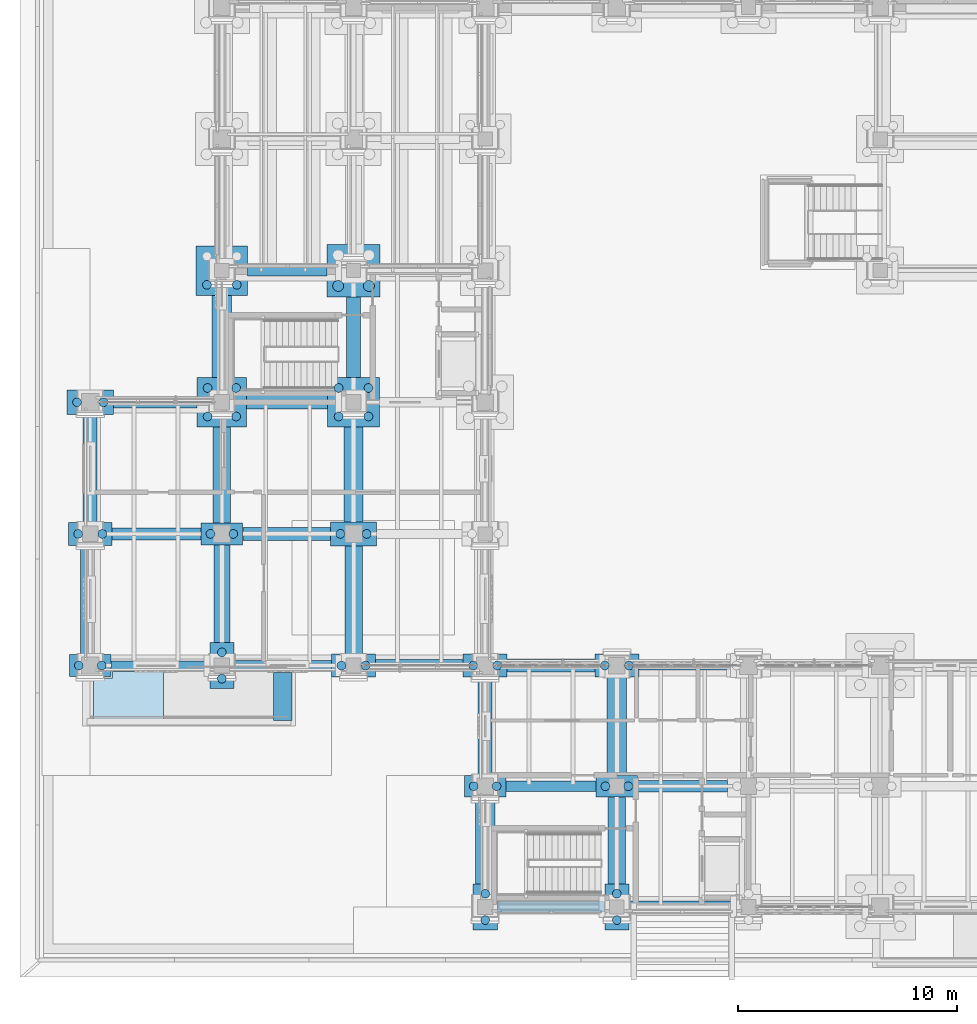
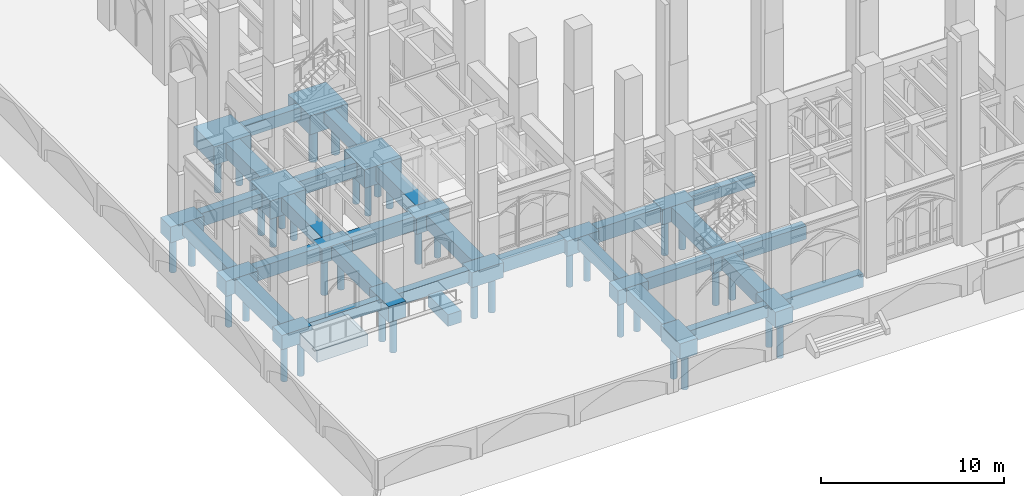
# One storey, part 1 of 135: 45 footings, 38 piles.
"""IFC4 building model written with IfcOpenShell, lengths in metres."""

from ifc_helpers import new_model, si_unit, direction, frame, origin, origin_2d, place, context, subcontext, project, spatial, polyline, rectangle, circle, outline, extrude, material, material_profile, profile_set, type_object, element, save


model = new_model("IFC4")

# Units and contexts
model_context = context("Model", 3, precision=1e-05, world=origin(), true_north=direction((0.0, 1.0)))
body_context = subcontext(model_context, "Body", "Model", "MODEL_VIEW")
ifc_project = project(units=[si_unit("LENGTHUNIT", "METRE"), si_unit("AREAUNIT", "SQUARE_METRE"), si_unit("VOLUMEUNIT", "CUBIC_METRE"), si_unit("PLANEANGLEUNIT", "RADIAN"), si_unit("MASSUNIT", "GRAM", prefix="KILO")], contexts=[model_context])

# Site, building, storey
site_placement = place(None, origin())
site = spatial("IfcSite", under=ifc_project, at=site_placement, CompositionType="ELEMENT")
building_placement = place(site_placement, origin())
building = spatial("IfcBuilding", under=site, at=building_placement, Name="Cumevento Cable Car Station", CompositionType="ELEMENT")
storey_placement = place(building_placement, origin())
storey = spatial("IfcBuildingStorey", under=building, at=storey_placement, Name="L01", CompositionType="ELEMENT", Elevation=0.0)

# Footings
ifc_material_1 = material(Name="Concrete C40/50", Category="concrete")
footing_type_1 = type_object("IfcFootingType", Name="Ground Beam GB-01 420x720", PredefinedType="FOOTING_BEAM", material=ifc_material_1)
footing_1_placement = place(storey_placement, frame((0.0, 0.0, -0.719970703125)))
element("IfcFooting", 1, at=footing_1_placement, inside=storey, type_object=footing_type_1, Name="Ground Tie Beam GB-01 #28", PredefinedType="FOOTING_BEAM", context=body_context, shape_type="SweptSolid", body=[
    extrude(outline(polyline([(4.951904296875, 14.7900390625), (9.447998046875, 14.7900390625), (9.447998046875, 15.2099609375), (4.951904296875, 15.2099609375), (4.951904296875, 14.7900390625)])), origin(), (0.0, 0.0, 1.0), 0.719970703125),
])
footing_2_placement = place(storey_placement, frame((0.0, 0.0, -0.719970703125)))
element("IfcFooting", 2, at=footing_2_placement, inside=storey, type_object=footing_type_1, Name="Ground Tie Beam GB-01 #32", PredefinedType="FOOTING_BEAM", context=body_context, shape_type="SweptSolid", body=[
    extrude(outline(polyline([(29.001953125, 14.7900390625), (32.998046875, 14.7900390625), (32.998046875, 15.2099609375), (29.001953125, 15.2099609375), (29.001953125, 14.7900390625)])), origin(), (0.0, 0.0, 1.0), 0.719970703125),
])
ifc_material_2 = material(Name="Concrete C40/50", Category="concrete")
footing_type_2 = type_object("IfcFootingType", Name="Ground Beam GB-02 480x800", PredefinedType="FOOTING_BEAM", material=ifc_material_2)
footing_3_placement = place(storey_placement, frame((0.0, 0.0, -0.800048828125)))
element("IfcFooting", 3, at=footing_3_placement, inside=storey, type_object=footing_type_2, Name="Ground Tie Beam GB-02 #1", PredefinedType="FOOTING_BEAM", context=body_context, shape_type="SweptSolid", body=[
    extrude(outline(polyline([(22.552001953125, 3.760009765625), (27.447998046875, 3.760009765625), (27.447998046875, 4.239990234375), (22.552001953125, 4.239990234375), (22.552001953125, 3.760009765625)])), origin(), (0.0, 0.0, 1.0), 0.800048828125),
])
footing_4_placement = place(storey_placement, frame((0.0, 0.0, -0.800048828125)))
element("IfcFooting", 4, at=footing_4_placement, inside=storey, type_object=footing_type_2, Name="Ground Tie Beam GB-02 #13", PredefinedType="FOOTING_BEAM", context=body_context, shape_type="SweptSolid", body=[
    extrude(outline(polyline([(22.951904296875, 9.260009765625), (27.048095703125, 9.260009765625), (27.048095703125, 9.739990234375), (22.951904296875, 9.739990234375), (22.951904296875, 9.260009765625)])), origin(), (0.0, 0.0, 1.0), 0.800048828125),
])
footing_5_placement = place(storey_placement, frame((0.0, 0.0, -0.800048828125)))
element("IfcFooting", 5, at=footing_5_placement, inside=storey, type_object=footing_type_2, Name="Ground Tie Beam GB-02 #29", PredefinedType="FOOTING_BEAM", context=body_context, shape_type="SweptSolid", body=[
    extrude(outline(polyline([(10.552001953125, 14.760009765625), (14.998046875, 14.760009765625), (14.998046875, 15.239990234375), (10.552001953125, 15.239990234375), (10.552001953125, 14.760009765625)])), origin(), (0.0, 0.0, 1.0), 0.800048828125),
])
footing_6_placement = place(storey_placement, frame((0.0, 0.0, -0.800048828125)))
element("IfcFooting", 6, at=footing_6_placement, inside=storey, type_object=footing_type_2, Name="Ground Tie Beam GB-02 #57", PredefinedType="FOOTING_BEAM", context=body_context, shape_type="SweptSolid", body=[
    extrude(outline(polyline([(11.177001953125, 32.760009765625), (14.798095703125, 32.760009765625), (14.798095703125, 33.239990234375), (11.177001953125, 33.239990234375), (11.177001953125, 32.760009765625)])), origin(), (0.0, 0.0, 1.0), 0.800048828125),
])
ifc_material_3 = material(Name="Concrete C40/50", Category="concrete")
footing_type_3 = type_object("IfcFootingType", Name="Ground Beam GB-03 540x880", PredefinedType="FOOTING_BEAM", material=ifc_material_3)
footing_7_placement = place(storey_placement, frame((0.0, 0.0, -0.8798828125)))
element("IfcFooting", 7, at=footing_7_placement, inside=storey, type_object=footing_type_3, Name="Ground Tie Beam GB-03 #2", PredefinedType="FOOTING_BEAM", context=body_context, shape_type="SweptSolid", body=[
    extrude(outline(polyline([(28.552001953125, 3.72998046875), (33.447998046875, 3.72998046875), (33.447998046875, 4.27001953125), (28.552001953125, 4.27001953125), (28.552001953125, 3.72998046875)])), origin(), (0.0, 0.0, 1.0), 0.8798828125),
])
footing_8_placement = place(storey_placement, frame((0.0, 0.0, -0.8798828125)))
element("IfcFooting", 8, at=footing_8_placement, inside=storey, type_object=footing_type_3, Name="Ground Tie Beam GB-03 #14", PredefinedType="FOOTING_BEAM", context=body_context, shape_type="SweptSolid", body=[
    extrude(outline(polyline([(28.951904296875, 9.22998046875), (33.048095703125, 9.22998046875), (33.048095703125, 9.77001953125), (28.951904296875, 9.77001953125), (28.951904296875, 9.22998046875)])), origin(), (0.0, 0.0, 1.0), 0.8798828125),
])
footing_9_placement = place(storey_placement, frame((0.0, 0.0, -0.8798828125)))
element("IfcFooting", 9, at=footing_9_placement, inside=storey, type_object=footing_type_3, Name="Ground Tie Beam GB-03 #30", PredefinedType="FOOTING_BEAM", context=body_context, shape_type="SweptSolid", body=[
    extrude(outline(polyline([(17.001953125, 14.72998046875), (20.998046875, 14.72998046875), (20.998046875, 15.27001953125), (17.001953125, 15.27001953125), (17.001953125, 14.72998046875)])), origin(), (0.0, 0.0, 1.0), 0.8798828125),
])
footing_10_placement = place(storey_placement, frame((0.0, 0.0, -0.8798828125)))
element("IfcFooting", 10, at=footing_10_placement, inside=storey, type_object=footing_type_3, Name="Ground Tie Beam GB-03 #42", PredefinedType="FOOTING_BEAM", context=body_context, shape_type="SweptSolid", body=[
    extrude(outline(polyline([(5.001953125, 20.72998046875), (9.048095703125, 20.72998046875), (9.048095703125, 21.27001953125), (5.001953125, 21.27001953125), (5.001953125, 20.72998046875)])), origin(), (0.0, 0.0, 1.0), 0.8798828125),
])
footing_11_placement = place(storey_placement, frame((0.0, 0.0, -0.8798828125)))
element("IfcFooting", 11, at=footing_11_placement, inside=storey, type_object=footing_type_3, Name="Ground Tie Beam GB-03 #50", PredefinedType="FOOTING_BEAM", context=body_context, shape_type="SweptSolid", body=[
    extrude(outline(polyline([(5.052001953125, 26.72998046875), (8.873046875, 26.72998046875), (8.873046875, 27.27001953125), (5.052001953125, 27.27001953125), (5.052001953125, 26.72998046875)])), origin(), (0.0, 0.0, 1.0), 0.8798828125),
])
ifc_material_4 = material(Name="Concrete C40/50", Category="concrete")
footing_type_4 = type_object("IfcFootingType", Name="Ground Beam GB-04 600x960", PredefinedType="FOOTING_BEAM", material=ifc_material_4)
footing_12_placement = place(storey_placement, frame((0.0, 0.0, -0.9599609375)))
element("IfcFooting", 12, at=footing_12_placement, inside=storey, type_object=footing_type_4, Name="Ground Tie Beam GB-04 #31", PredefinedType="FOOTING_BEAM", context=body_context, shape_type="SweptSolid", body=[
    extrude(outline(polyline([(23.001953125, 14.699951171875), (26.998046875, 14.699951171875), (26.998046875, 15.300048828125), (23.001953125, 15.300048828125), (23.001953125, 14.699951171875)])), origin(), (0.0, 0.0, 1.0), 0.9599609375),
])
footing_13_placement = place(storey_placement, frame((0.0, 0.0, -0.9599609375)))
element("IfcFooting", 13, at=footing_13_placement, inside=storey, type_object=footing_type_4, Name="Ground Tie Beam GB-04 #43", PredefinedType="FOOTING_BEAM", context=body_context, shape_type="SweptSolid", body=[
    extrude(outline(polyline([(10.951904296875, 20.699951171875), (14.947998046875, 20.699951171875), (14.947998046875, 21.300048828125), (10.951904296875, 21.300048828125), (10.951904296875, 20.699951171875)])), origin(), (0.0, 0.0, 1.0), 0.9599609375),
])
footing_14_placement = place(storey_placement, frame((0.0, 0.0, -0.9599609375)))
element("IfcFooting", 14, at=footing_14_placement, inside=storey, type_object=footing_type_4, Name="Ground Tie Beam GB-04 #51", PredefinedType="FOOTING_BEAM", context=body_context, shape_type="SweptSolid", body=[
    extrude(outline(polyline([(11.126953125, 26.699951171875), (14.822998046875, 26.699951171875), (14.822998046875, 27.300048828125), (11.126953125, 27.300048828125), (11.126953125, 26.699951171875)])), origin(), (0.0, 0.0, 1.0), 0.9599609375),
])

# Piles
ifc_material_5 = material(Name="Concrete C40/50", Category="concrete")
ifc_material_profile_1 = material_profile(ifc_material_5, circle(Radius=0.199951171875, at=origin_2d()), Name="PILE-D400")
ifc_profile_set_1 = profile_set([ifc_material_profile_1], Name="Concrete C40/50")
pile_type_1 = type_object("IfcPileType", Name="PILE-BORED-400", PredefinedType="BORED", material=ifc_profile_set_1)
for number, where, z_axis, x_axis, name in (
    (15, (3.47998046875, 15.0, -0.949951171875), (0.0, 0.0, -1.0), (1.0, 0.0, 0.0), "Bored Pile PL-400 #1"),
    (16, (4.52001953125, 15.0, -0.949951171875), (0.0, 0.0, -1.0), (1.0, 0.0, 0.0), "Bored Pile PL-400 #2"),
):
    element("IfcPile", number, at=place(storey_placement, frame(where, z_axis=z_axis, x_axis=x_axis)), inside=storey, type_object=pile_type_1, Name=name, PredefinedType="BORED", context=body_context, shape_type="SweptSolid", body=[
        extrude(circle(Radius=0.199951171875, at=origin_2d()), origin(), (0.0, 0.0, 1.0), 2.449951171875),
    ])
for number, where, z_axis, x_axis, name in (
    (17, (3.449951171875, 21.0, -1.0), (0.0, 0.0, -1.0), (1.0, 0.0, 0.0), "Bored Pile PL-400 #3"),
    (18, (4.550048828125, 21.0, -1.0), (0.0, 0.0, -1.0), (1.0, 0.0, 0.0), "Bored Pile PL-400 #4"),
):
    element("IfcPile", number, at=place(storey_placement, frame(where, z_axis=z_axis, x_axis=x_axis)), inside=storey, type_object=pile_type_1, Name=name, PredefinedType="BORED", context=body_context, shape_type="SweptSolid", body=[
        extrude(circle(Radius=0.199951171875, at=origin_2d()), origin(), (0.0, 0.0, 1.0), 2.39990234375),
    ])
for number, where, z_axis, x_axis, name in (
    (19, (3.39990234375, 27.0, -1.050048828125), (0.0, 0.0, -1.0), (1.0, 0.0, 0.0), "Bored Pile PL-400 #5"),
    (20, (4.60009765625, 27.0, -1.050048828125), (0.0, 0.0, -1.0), (1.0, 0.0, 0.0), "Bored Pile PL-400 #6"),
    (21, (10.0, 14.39990234375, -1.050048828125), (0.0, 0.0, -1.0), (1.0, 0.0, 0.0), "Bored Pile PL-400 #7"),
    (22, (10.0, 15.60009765625, -1.050048828125), (0.0, 0.0, -1.0), (1.0, 0.0, 0.0), "Bored Pile PL-400 #8"),
):
    element("IfcPile", number, at=place(storey_placement, frame(where, z_axis=z_axis, x_axis=x_axis)), inside=storey, type_object=pile_type_1, Name=name, PredefinedType="BORED", context=body_context, shape_type="SweptSolid", body=[
        extrude(circle(Radius=0.199951171875, at=origin_2d()), origin(), (0.0, 0.0, 1.0), 2.35009765625),
    ])
for number, where, z_axis, x_axis, name in (
    (23, (9.47998046875, 21.0, -0.949951171875), (0.0, 0.0, -1.0), (1.0, 0.0, 0.0), "Bored Pile PL-400 #9"),
    (24, (10.52001953125, 21.0, -0.949951171875), (0.0, 0.0, -1.0), (1.0, 0.0, 0.0), "Bored Pile PL-400 #10"),
):
    element("IfcPile", number, at=place(storey_placement, frame(where, z_axis=z_axis, x_axis=x_axis)), inside=storey, type_object=pile_type_1, Name=name, PredefinedType="BORED", context=body_context, shape_type="SweptSolid", body=[
        extrude(circle(Radius=0.199951171875, at=origin_2d()), origin(), (0.0, 0.0, 1.0), 2.449951171875),
    ])
for number, where, z_axis, x_axis, name in (
    (25, (9.35009765625, 26.35009765625, -1.199951171875), (0.0, 0.0, -1.0), (1.0, 0.0, 0.0), "Bored Pile PL-400 #11"),
    (26, (10.64990234375, 26.35009765625, -1.199951171875), (0.0, 0.0, -1.0), (1.0, 0.0, 0.0), "Bored Pile PL-400 #12"),
    (27, (9.35009765625, 27.64990234375, -1.199951171875), (0.0, 0.0, -1.0), (1.0, 0.0, 0.0), "Bored Pile PL-400 #13"),
    (28, (10.64990234375, 27.64990234375, -1.199951171875), (0.0, 0.0, -1.0), (1.0, 0.0, 0.0), "Bored Pile PL-400 #14"),
):
    element("IfcPile", number, at=place(storey_placement, frame(where, z_axis=z_axis, x_axis=x_axis)), inside=storey, type_object=pile_type_1, Name=name, PredefinedType="BORED", context=body_context, shape_type="SweptSolid", body=[
        extrude(circle(Radius=0.199951171875, at=origin_2d()), origin(), (0.0, 0.0, 1.0), 2.199951171875),
    ])
for number, where, z_axis, x_axis, name in (
    (29, (9.320068359375, 32.35009765625, -1.219970703125), (0.0, 0.0, -1.0), (1.0, 0.0, 0.0), "Bored Pile PL-400 #15"),
    (30, (10.679931640625, 32.35009765625, -1.219970703125), (0.0, 0.0, -1.0), (1.0, 0.0, 0.0), "Bored Pile PL-400 #16"),
):
    element("IfcPile", number, at=place(storey_placement, frame(where, z_axis=z_axis, x_axis=x_axis)), inside=storey, type_object=pile_type_1, Name=name, PredefinedType="BORED", context=body_context, shape_type="SweptSolid", body=[
        extrude(circle(Radius=0.199951171875, at=origin_2d()), origin(), (0.0, 0.0, 1.0), 2.179931640625),
    ])
for number, where, z_axis, x_axis, name in (
    (31, (15.449951171875, 15.0, -1.0), (0.0, 0.0, -1.0), (1.0, 0.0, 0.0), "Bored Pile PL-400 #27"),
    (32, (16.550048828125, 15.0, -1.0), (0.0, 0.0, -1.0), (1.0, 0.0, 0.0), "Bored Pile PL-400 #28"),
):
    element("IfcPile", number, at=place(storey_placement, frame(where, z_axis=z_axis, x_axis=x_axis)), inside=storey, type_object=pile_type_1, Name=name, PredefinedType="BORED", context=body_context, shape_type="SweptSolid", body=[
        extrude(circle(Radius=0.199951171875, at=origin_2d()), origin(), (0.0, 0.0, 1.0), 2.39990234375),
    ])
for number, where, z_axis, x_axis, name in (
    (33, (15.39990234375, 21.0, -1.050048828125), (0.0, 0.0, -1.0), (1.0, 0.0, 0.0), "Bored Pile PL-400 #29"),
    (34, (16.60009765625, 21.0, -1.050048828125), (0.0, 0.0, -1.0), (1.0, 0.0, 0.0), "Bored Pile PL-400 #30"),
):
    element("IfcPile", number, at=place(storey_placement, frame(where, z_axis=z_axis, x_axis=x_axis)), inside=storey, type_object=pile_type_1, Name=name, PredefinedType="BORED", context=body_context, shape_type="SweptSolid", body=[
        extrude(circle(Radius=0.199951171875, at=origin_2d()), origin(), (0.0, 0.0, 1.0), 2.35009765625),
    ])
for number, where, z_axis, x_axis, name in (
    (35, (15.320068359375, 26.35009765625, -1.219970703125), (0.0, 0.0, -1.0), (1.0, 0.0, 0.0), "Bored Pile PL-400 #31"),
    (36, (16.679931640625, 26.35009765625, -1.219970703125), (0.0, 0.0, -1.0), (1.0, 0.0, 0.0), "Bored Pile PL-400 #32"),
    (37, (15.320068359375, 27.64990234375, -1.219970703125), (0.0, 0.0, -1.0), (1.0, 0.0, 0.0), "Bored Pile PL-400 #33"),
    (38, (16.679931640625, 27.64990234375, -1.219970703125), (0.0, 0.0, -1.0), (1.0, 0.0, 0.0), "Bored Pile PL-400 #34"),
):
    element("IfcPile", number, at=place(storey_placement, frame(where, z_axis=z_axis, x_axis=x_axis)), inside=storey, type_object=pile_type_1, Name=name, PredefinedType="BORED", context=body_context, shape_type="SweptSolid", body=[
        extrude(circle(Radius=0.199951171875, at=origin_2d()), origin(), (0.0, 0.0, 1.0), 2.179931640625),
    ])
for number, where, z_axis, x_axis, name in (
    (39, (22.0, 3.39990234375, -1.050048828125), (0.0, 0.0, -1.0), (1.0, 0.0, 0.0), "Bored Pile PL-400 #47"),
    (40, (22.0, 4.60009765625, -1.050048828125), (0.0, 0.0, -1.0), (1.0, 0.0, 0.0), "Bored Pile PL-400 #48"),
):
    element("IfcPile", number, at=place(storey_placement, frame(where, z_axis=z_axis, x_axis=x_axis)), inside=storey, type_object=pile_type_1, Name=name, PredefinedType="BORED", context=body_context, shape_type="SweptSolid", body=[
        extrude(circle(Radius=0.199951171875, at=origin_2d()), origin(), (0.0, 0.0, 1.0), 2.35009765625),
    ])
for number, where, z_axis, x_axis, name in (
    (41, (21.47998046875, 9.5, -0.949951171875), (0.0, 0.0, -1.0), (1.0, 0.0, 0.0), "Bored Pile PL-400 #49"),
    (42, (22.52001953125, 9.5, -0.949951171875), (0.0, 0.0, -1.0), (1.0, 0.0, 0.0), "Bored Pile PL-400 #50"),
):
    element("IfcPile", number, at=place(storey_placement, frame(where, z_axis=z_axis, x_axis=x_axis)), inside=storey, type_object=pile_type_1, Name=name, PredefinedType="BORED", context=body_context, shape_type="SweptSolid", body=[
        extrude(circle(Radius=0.199951171875, at=origin_2d()), origin(), (0.0, 0.0, 1.0), 2.449951171875),
    ])
for number, where, z_axis, x_axis, name in (
    (43, (21.449951171875, 15.0, -1.0), (0.0, 0.0, -1.0), (1.0, 0.0, 0.0), "Bored Pile PL-400 #51"),
    (44, (22.550048828125, 15.0, -1.0), (0.0, 0.0, -1.0), (1.0, 0.0, 0.0), "Bored Pile PL-400 #52"),
):
    element("IfcPile", number, at=place(storey_placement, frame(where, z_axis=z_axis, x_axis=x_axis)), inside=storey, type_object=pile_type_1, Name=name, PredefinedType="BORED", context=body_context, shape_type="SweptSolid", body=[
        extrude(circle(Radius=0.199951171875, at=origin_2d()), origin(), (0.0, 0.0, 1.0), 2.39990234375),
    ])
for number, where, z_axis, x_axis, name in (
    (45, (28.0, 3.39990234375, -1.050048828125), (0.0, 0.0, -1.0), (1.0, 0.0, 0.0), "Bored Pile PL-400 #87"),
    (46, (28.0, 4.60009765625, -1.050048828125), (0.0, 0.0, -1.0), (1.0, 0.0, 0.0), "Bored Pile PL-400 #88"),
):
    element("IfcPile", number, at=place(storey_placement, frame(where, z_axis=z_axis, x_axis=x_axis)), inside=storey, type_object=pile_type_1, Name=name, PredefinedType="BORED", context=body_context, shape_type="SweptSolid", body=[
        extrude(circle(Radius=0.199951171875, at=origin_2d()), origin(), (0.0, 0.0, 1.0), 2.35009765625),
    ])
for number, where, z_axis, x_axis, name in (
    (47, (27.47998046875, 9.5, -0.949951171875), (0.0, 0.0, -1.0), (1.0, 0.0, 0.0), "Bored Pile PL-400 #89"),
    (48, (28.52001953125, 9.5, -0.949951171875), (0.0, 0.0, -1.0), (1.0, 0.0, 0.0), "Bored Pile PL-400 #90"),
):
    element("IfcPile", number, at=place(storey_placement, frame(where, z_axis=z_axis, x_axis=x_axis)), inside=storey, type_object=pile_type_1, Name=name, PredefinedType="BORED", context=body_context, shape_type="SweptSolid", body=[
        extrude(circle(Radius=0.199951171875, at=origin_2d()), origin(), (0.0, 0.0, 1.0), 2.449951171875),
    ])
for number, where, z_axis, x_axis, name in (
    (49, (27.449951171875, 15.0, -1.0), (0.0, 0.0, -1.0), (1.0, 0.0, 0.0), "Bored Pile PL-400 #91"),
    (50, (28.550048828125, 15.0, -1.0), (0.0, 0.0, -1.0), (1.0, 0.0, 0.0), "Bored Pile PL-400 #92"),
):
    element("IfcPile", number, at=place(storey_placement, frame(where, z_axis=z_axis, x_axis=x_axis)), inside=storey, type_object=pile_type_1, Name=name, PredefinedType="BORED", context=body_context, shape_type="SweptSolid", body=[
        extrude(circle(Radius=0.199951171875, at=origin_2d()), origin(), (0.0, 0.0, 1.0), 2.39990234375),
    ])
ifc_material_6 = material(Name="Concrete C40/50", Category="concrete")
ifc_material_profile_2 = material_profile(ifc_material_6, circle(Radius=0.25, at=origin_2d()), Name="PILE-D500")
ifc_profile_set_2 = profile_set([ifc_material_profile_2], Name="Concrete C40/50")
pile_type_2 = type_object("IfcPileType", Name="PILE-BORED-500", PredefinedType="BORED", material=ifc_profile_set_2)
for number, where, z_axis, x_axis, name in (
    (51, (15.300048828125, 32.300048828125, -1.25), (0.0, 0.0, -1.0), (1.0, 0.0, 0.0), "Bored Pile PL-500 #35"),
    (52, (16.699951171875, 32.300048828125, -1.25), (0.0, 0.0, -1.0), (1.0, 0.0, 0.0), "Bored Pile PL-500 #36"),
):
    element("IfcPile", number, at=place(storey_placement, frame(where, z_axis=z_axis, x_axis=x_axis)), inside=storey, type_object=pile_type_2, Name=name, PredefinedType="BORED", context=body_context, shape_type="SweptSolid", body=[
        extrude(circle(Radius=0.25, at=origin_2d()), origin(), (0.0, 0.0, 1.0), 2.14990234375),
    ])

# Footings
ifc_material_7 = material(Name="Concrete C40/50", Category="concrete")
footing_type_5 = type_object("IfcFootingType", Name="Pile Cap PC-01 1900x1000x950", PredefinedType="PILE_CAP", material=ifc_material_7)
for number, where, z_axis, x_axis, name in (
    (53, (4.0, 15.0, -0.9501953125), (0.0, 0.0, 1.0), (1.0, 0.0, 0.0), "Pile Cap PC-01 at (4.0,15.0)"),
    (54, (10.0, 21.0, -0.9501953125), (0.0, 0.0, 1.0), (1.0, 0.0, 0.0), "Pile Cap PC-01 at (10.0,21.0)"),
    (55, (22.0, 9.5, -0.9501953125), (0.0, 0.0, 1.0), (1.0, 0.0, 0.0), "Pile Cap PC-01 at (22.0,9.5)"),
    (56, (28.0, 9.5, -0.9501953125), (0.0, 0.0, 1.0), (1.0, 0.0, 0.0), "Pile Cap PC-01 at (28.0,9.5)"),
):
    element("IfcFooting", number, at=place(storey_placement, frame(where, z_axis=z_axis, x_axis=x_axis)), inside=storey, type_object=footing_type_5, Name=name, PredefinedType="PILE_CAP", context=body_context, shape_type="SweptSolid", body=[
        extrude(rectangle(XDim=1.89990234375, YDim=1.0, at=origin_2d()), origin(), (0.0, 0.0, 1.0), 0.949951171875),
    ])
ifc_material_8 = material(Name="Concrete C40/50", Category="concrete")
footing_type_6 = type_object("IfcFootingType", Name="Pile Cap PC-02 2000x1050x1000", PredefinedType="PILE_CAP", material=ifc_material_8)
for number, where, z_axis, x_axis, name in (
    (57, (4.0, 21.0, -1.0), (0.0, 0.0, 1.0), (1.0, 0.0, 0.0), "Pile Cap PC-02 at (4.0,21.0)"),
    (58, (16.0, 15.0, -1.0), (0.0, 0.0, 1.0), (1.0, 0.0, 0.0), "Pile Cap PC-02 at (16.0,15.0)"),
    (59, (22.0, 15.0, -1.0), (0.0, 0.0, 1.0), (1.0, 0.0, 0.0), "Pile Cap PC-02 at (22.0,15.0)"),
    (60, (28.0, 15.0, -1.0), (0.0, 0.0, 1.0), (1.0, 0.0, 0.0), "Pile Cap PC-02 at (28.0,15.0)"),
):
    element("IfcFooting", number, at=place(storey_placement, frame(where, z_axis=z_axis, x_axis=x_axis)), inside=storey, type_object=footing_type_6, Name=name, PredefinedType="PILE_CAP", context=body_context, shape_type="SweptSolid", body=[
        extrude(rectangle(XDim=2.0, YDim=1.050048828125, at=origin_2d()), origin(), (0.0, 0.0, 1.0), 1.0),
    ])
ifc_material_9 = material(Name="Concrete C40/50", Category="concrete")
footing_type_7 = type_object("IfcFootingType", Name="Pile Cap PC-03 2100x1100x1050", PredefinedType="PILE_CAP", material=ifc_material_9)
for number, where, z_axis, x_axis, name in (
    (61, (4.0, 27.0, -1.0498046875), (0.0, 0.0, 1.0), (1.0, 0.0, 0.0), "Pile Cap PC-03 at (4.0,27.0)"),
    (62, (16.0, 21.0, -1.0498046875), (0.0, 0.0, 1.0), (1.0, 0.0, 0.0), "Pile Cap PC-03 at (16.0,21.0)"),
):
    element("IfcFooting", number, at=place(storey_placement, frame(where, z_axis=z_axis, x_axis=x_axis)), inside=storey, type_object=footing_type_7, Name=name, PredefinedType="PILE_CAP", context=body_context, shape_type="SweptSolid", body=[
        extrude(rectangle(XDim=2.10009765625, YDim=1.10009765625, at=origin_2d()), origin(), (0.0, 0.0, 1.0), 1.050048828125),
    ])
ifc_material_10 = material(Name="Concrete C40/50", Category="concrete")
footing_type_8 = type_object("IfcFootingType", Name="Pile Cap PC-04 1100x2100x1050", PredefinedType="PILE_CAP", material=ifc_material_10)
for number, where, z_axis, x_axis, name in (
    (63, (10.0, 15.0, -1.0498046875), (0.0, 0.0, 1.0), (1.0, 0.0, 0.0), "Pile Cap PC-04 at (10.0,15.0)"),
    (64, (22.0, 4.0, -1.0498046875), (0.0, 0.0, 1.0), (1.0, 0.0, 0.0), "Pile Cap PC-04 at (22.0,4.0)"),
    (65, (28.0, 4.0, -1.0498046875), (0.0, 0.0, 1.0), (1.0, 0.0, 0.0), "Pile Cap PC-04 at (28.0,4.0)"),
):
    element("IfcFooting", number, at=place(storey_placement, frame(where, z_axis=z_axis, x_axis=x_axis)), inside=storey, type_object=footing_type_8, Name=name, PredefinedType="PILE_CAP", context=body_context, shape_type="SweptSolid", body=[
        extrude(rectangle(XDim=1.10009765625, YDim=2.10009765625, at=origin_2d()), origin(), (0.0, 0.0, 1.0), 1.050048828125),
    ])
ifc_material_11 = material(Name="Concrete C40/50", Category="concrete")
footing_type_9 = type_object("IfcFootingType", Name="Pile Cap PC-07 2250x2250x1200", PredefinedType="PILE_CAP", material=ifc_material_11)
footing_15_placement = place(storey_placement, frame((10.0, 27.0, -1.2001953125), z_axis=(0.0, 0.0, 1.0), x_axis=(1.0, 0.0, 0.0)))
element("IfcFooting", 66, at=footing_15_placement, inside=storey, type_object=footing_type_9, Name="Pile Cap PC-07 at (10.0,27.0)", PredefinedType="PILE_CAP", context=body_context, shape_type="SweptSolid", body=[
    extrude(rectangle(XDim=2.25, YDim=2.25, at=origin_2d()), origin(), (0.0, 0.0, 1.0), 1.199951171875),
])
ifc_material_12 = material(Name="Concrete C40/50", Category="concrete")
footing_type_10 = type_object("IfcFootingType", Name="Pile Cap PC-08 2350x2250x1220", PredefinedType="PILE_CAP", material=ifc_material_12)
for number, where, z_axis, x_axis, name in (
    (67, (10.0, 33.0, -1.22021484375), (0.0, 0.0, 1.0), (1.0, 0.0, 0.0), "Pile Cap PC-08 at (10.0,33.0)"),
    (68, (16.0, 27.0, -1.22021484375), (0.0, 0.0, 1.0), (1.0, 0.0, 0.0), "Pile Cap PC-08 at (16.0,27.0)"),
):
    element("IfcFooting", number, at=place(storey_placement, frame(where, z_axis=z_axis, x_axis=x_axis)), inside=storey, type_object=footing_type_10, Name=name, PredefinedType="PILE_CAP", context=body_context, shape_type="SweptSolid", body=[
        extrude(rectangle(XDim=2.35009765625, YDim=2.25, at=origin_2d()), origin(), (0.0, 0.0, 1.0), 1.219970703125),
    ])
ifc_material_13 = material(Name="Concrete C40/50", Category="concrete")
footing_type_11 = type_object("IfcFootingType", Name="Pile Cap PC-09 2400x2400x1250", PredefinedType="PILE_CAP", material=ifc_material_13)
footing_16_placement = place(storey_placement, frame((16.0, 33.0, -1.25), z_axis=(0.0, 0.0, 1.0), x_axis=(1.0, 0.0, 0.0)))
element("IfcFooting", 69, at=footing_16_placement, inside=storey, type_object=footing_type_11, Name="Pile Cap PC-09 at (16.0,33.0)", PredefinedType="PILE_CAP", context=body_context, shape_type="SweptSolid", body=[
    extrude(rectangle(XDim=2.39990234375, YDim=2.39990234375, at=origin_2d()), origin(), (0.0, 0.0, 1.0), 1.25),
])
ifc_material_14 = material(Name="Concrete C40/50", Category="concrete")
footing_type_12 = type_object("IfcFootingType", Name="Strip Footing SF-01 640x780", PredefinedType="STRIP_FOOTING", material=ifc_material_14)
footing_17_placement = place(storey_placement, frame((0.0, 0.0, -0.780029296875)))
element("IfcFooting", 70, at=footing_17_placement, inside=storey, type_object=footing_type_12, Name="Strip Footing SF-01 #160", PredefinedType="STRIP_FOOTING", context=body_context, shape_type="SweptSolid", body=[
    extrude(outline(polyline([(3.679931640625, 21.527099609375), (4.320068359375, 21.527099609375), (4.320068359375, 26.447998046875), (3.679931640625, 26.447998046875), (3.679931640625, 21.527099609375)])), origin(), (0.0, 0.0, 1.0), 0.780029296875),
])
footing_18_placement = place(storey_placement, frame((0.0, 0.0, -0.780029296875)))
element("IfcFooting", 71, at=footing_18_placement, inside=storey, type_object=footing_type_12, Name="Strip Footing SF-01 #168", PredefinedType="STRIP_FOOTING", context=body_context, shape_type="SweptSolid", body=[
    extrude(outline(polyline([(15.679931640625, 28.126953125), (16.320068359375, 28.126953125), (16.320068359375, 31.798095703125), (15.679931640625, 31.798095703125), (15.679931640625, 28.126953125)])), origin(), (0.0, 0.0, 1.0), 0.780029296875),
])
footing_19_placement = place(storey_placement, frame((0.0, 0.0, -0.780029296875)))
element("IfcFooting", 72, at=footing_19_placement, inside=storey, type_object=footing_type_12, Name="Strip Footing SF-01 #172", PredefinedType="STRIP_FOOTING", context=body_context, shape_type="SweptSolid", body=[
    extrude(outline(polyline([(21.679931640625, 10.001953125), (22.320068359375, 10.001953125), (22.320068359375, 14.472900390625), (21.679931640625, 14.472900390625), (21.679931640625, 10.001953125)])), origin(), (0.0, 0.0, 1.0), 0.780029296875),
])
footing_20_placement = place(storey_placement, frame((0.0, 0.0, -1.449951171875)))
element("IfcFooting", 73, at=footing_20_placement, inside=storey, type_object=footing_type_12, Name="Ramp Toe Strip Footing RP-04", PredefinedType="STRIP_FOOTING", context=body_context, shape_type="SweptSolid", body=[
    extrude(outline(polyline([(13.199951171875, 12.5), (12.360107421875, 12.5), (12.360107421875, 14.695068359375), (13.199951171875, 14.695068359375), (13.199951171875, 12.5)])), origin(), (0.0, 0.0, 1.0), 0.780029296875),
])
footing_21_placement = place(storey_placement, frame((0.0, 0.0, -1.0)))
element("IfcFooting", 74, at=footing_21_placement, inside=storey, type_object=footing_type_12, Name="Ramp Landing Strip Footing RP-04", PredefinedType="STRIP_FOOTING", context=body_context, shape_type="SweptSolid", body=[
    extrude(outline(polyline([(7.35009765625, 12.550048828125), (4.14990234375, 12.550048828125), (4.14990234375, 14.43505859375), (5.014892578125, 14.43505859375), (5.014892578125, 14.72509765625), (7.35009765625, 14.72509765625), (7.35009765625, 12.550048828125)])), origin(), (0.0, 0.0, 1.0), 0.780029296875),
])
ifc_material_15 = material(Name="Concrete C40/50", Category="concrete")
footing_type_13 = type_object("IfcFootingType", Name="Strip Footing SF-02 720x860", PredefinedType="STRIP_FOOTING", material=ifc_material_15)
footing_22_placement = place(storey_placement, frame((0.0, 0.0, -0.860107421875)))
element("IfcFooting", 75, at=footing_22_placement, inside=storey, type_object=footing_type_13, Name="Strip Footing SF-02 #161", PredefinedType="STRIP_FOOTING", context=body_context, shape_type="SweptSolid", body=[
    extrude(outline(polyline([(9.639892578125, 16.052001953125), (10.360107421875, 16.052001953125), (10.360107421875, 20.498046875), (9.639892578125, 20.498046875), (9.639892578125, 16.052001953125)])), origin(), (0.0, 0.0, 1.0), 0.860107421875),
])
ifc_material_16 = material(Name="Concrete C40/50", Category="concrete")
footing_type_14 = type_object("IfcFootingType", Name="Strip Footing SF-03 800x940", PredefinedType="STRIP_FOOTING", material=ifc_material_16)
footing_23_placement = place(storey_placement, frame((0.0, 0.0, -0.93994140625)))
element("IfcFooting", 76, at=footing_23_placement, inside=storey, type_object=footing_type_14, Name="Strip Footing SF-03 #162", PredefinedType="STRIP_FOOTING", context=body_context, shape_type="SweptSolid", body=[
    extrude(outline(polyline([(9.60009765625, 21.501953125), (10.39990234375, 21.501953125), (10.39990234375, 25.873046875), (9.60009765625, 25.873046875), (9.60009765625, 21.501953125)])), origin(), (0.0, 0.0, 1.0), 0.93994140625),
])
footing_24_placement = place(storey_placement, frame((0.0, 0.0, -0.93994140625)))
element("IfcFooting", 77, at=footing_24_placement, inside=storey, type_object=footing_type_14, Name="Strip Footing SF-03 #166", PredefinedType="STRIP_FOOTING", context=body_context, shape_type="SweptSolid", body=[
    extrude(outline(polyline([(15.60009765625, 15.527099609375), (16.39990234375, 15.527099609375), (16.39990234375, 20.447998046875), (15.60009765625, 20.447998046875), (15.60009765625, 15.527099609375)])), origin(), (0.0, 0.0, 1.0), 0.93994140625),
])
footing_25_placement = place(storey_placement, frame((0.0, 0.0, -0.93994140625)))
element("IfcFooting", 78, at=footing_25_placement, inside=storey, type_object=footing_type_14, Name="Strip Footing SF-03 #182", PredefinedType="STRIP_FOOTING", context=body_context, shape_type="SweptSolid", body=[
    extrude(outline(polyline([(27.60009765625, 5.052001953125), (28.39990234375, 5.052001953125), (28.39990234375, 8.998046875), (27.60009765625, 8.998046875), (27.60009765625, 5.052001953125)])), origin(), (0.0, 0.0, 1.0), 0.93994140625),
])
ifc_material_17 = material(Name="Concrete C40/50", Category="concrete")
footing_type_15 = type_object("IfcFootingType", Name="Strip Footing SF-04 880x1020", PredefinedType="STRIP_FOOTING", material=ifc_material_17)
footing_26_placement = place(storey_placement, frame((0.0, 0.0, -1.02001953125)))
element("IfcFooting", 79, at=footing_26_placement, inside=storey, type_object=footing_type_15, Name="Strip Footing SF-04 #159", PredefinedType="STRIP_FOOTING", context=body_context, shape_type="SweptSolid", body=[
    extrude(outline(polyline([(3.56005859375, 15.501953125), (4.43994140625, 15.501953125), (4.43994140625, 20.472900390625), (3.56005859375, 20.472900390625), (3.56005859375, 15.501953125)])), origin(), (0.0, 0.0, 1.0), 1.02001953125),
])
footing_27_placement = place(storey_placement, frame((0.0, 0.0, -1.02001953125)))
element("IfcFooting", 80, at=footing_27_placement, inside=storey, type_object=footing_type_15, Name="Strip Footing SF-04 #163", PredefinedType="STRIP_FOOTING", context=body_context, shape_type="SweptSolid", body=[
    extrude(outline(polyline([(9.56005859375, 28.126953125), (10.43994140625, 28.126953125), (10.43994140625, 31.873046875), (9.56005859375, 31.873046875), (9.56005859375, 28.126953125)])), origin(), (0.0, 0.0, 1.0), 1.02001953125),
])
footing_28_placement = place(storey_placement, frame((0.0, 0.0, -1.02001953125)))
element("IfcFooting", 81, at=footing_28_placement, inside=storey, type_object=footing_type_15, Name="Strip Footing SF-04 #167", PredefinedType="STRIP_FOOTING", context=body_context, shape_type="SweptSolid", body=[
    extrude(outline(polyline([(15.56005859375, 21.552001953125), (16.43994140625, 21.552001953125), (16.43994140625, 25.873046875), (15.56005859375, 25.873046875), (15.56005859375, 21.552001953125)])), origin(), (0.0, 0.0, 1.0), 1.02001953125),
])
footing_29_placement = place(storey_placement, frame((0.0, 0.0, -1.02001953125)))
element("IfcFooting", 82, at=footing_29_placement, inside=storey, type_object=footing_type_15, Name="Strip Footing SF-04 #171", PredefinedType="STRIP_FOOTING", context=body_context, shape_type="SweptSolid", body=[
    extrude(outline(polyline([(21.56005859375, 5.052001953125), (22.43994140625, 5.052001953125), (22.43994140625, 8.998046875), (21.56005859375, 8.998046875), (21.56005859375, 5.052001953125)])), origin(), (0.0, 0.0, 1.0), 1.02001953125),
])
footing_30_placement = place(storey_placement, frame((0.0, 0.0, -1.02001953125)))
element("IfcFooting", 83, at=footing_30_placement, inside=storey, type_object=footing_type_15, Name="Strip Footing SF-04 #183", PredefinedType="STRIP_FOOTING", context=body_context, shape_type="SweptSolid", body=[
    extrude(outline(polyline([(27.56005859375, 10.001953125), (28.43994140625, 10.001953125), (28.43994140625, 14.472900390625), (27.56005859375, 14.472900390625), (27.56005859375, 10.001953125)])), origin(), (0.0, 0.0, 1.0), 1.02001953125),
])

save(model, "model.ifc")
